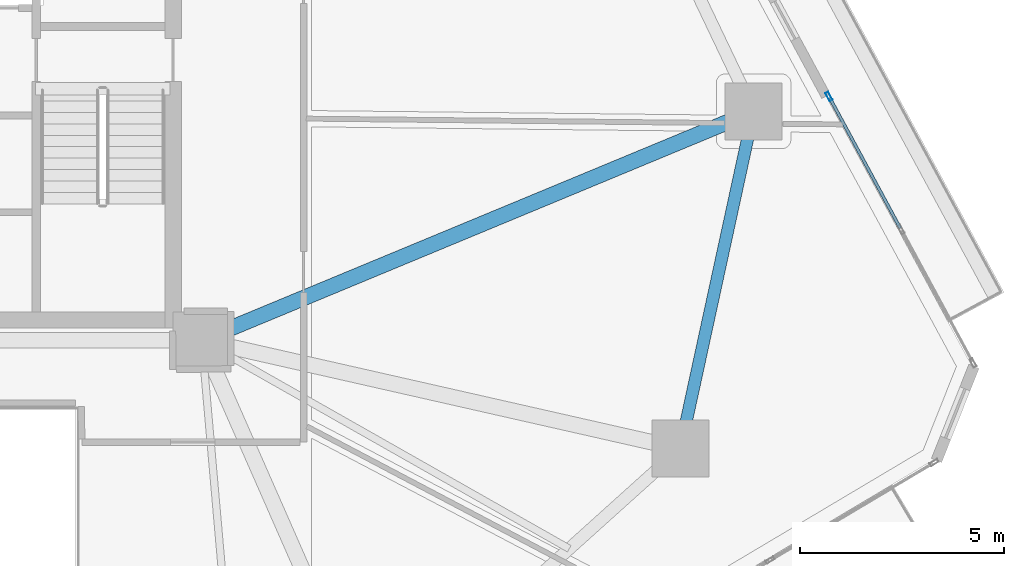
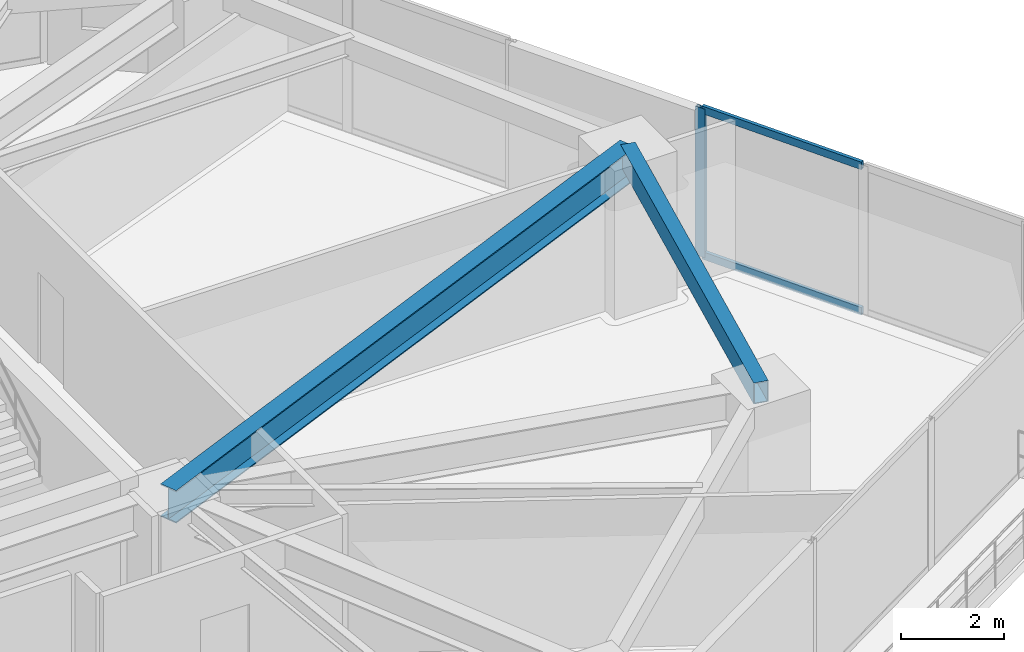
# One storey, part 11 of 23: 3 members, 2 beams, 1 element without a shape of its own.
"""IFC4 building model written with IfcOpenShell, lengths in metres."""

from ifc_helpers import new_model, si_unit, direction, frame, origin, origin_2d, place, context, subcontext, project, spatial, hollow_rectangle, i_section, extrude, source, transform, mapped, material, layer, layer_set, material_profile, profile_set, type_object, type_shapes, element, aggregate, save


model = new_model("IFC4")

# Units and contexts
model_context = context("Model", 3, precision=1e-05, world=origin(), true_north=direction((0.0, 1.0)))
body_context = subcontext(model_context, "Body", "Model", "MODEL_VIEW")
ifc_project = project(units=[si_unit("LENGTHUNIT", "METRE"), si_unit("AREAUNIT", "SQUARE_METRE"), si_unit("VOLUMEUNIT", "CUBIC_METRE"), si_unit("PLANEANGLEUNIT", "RADIAN"), si_unit("MASSUNIT", "GRAM", prefix="KILO")], contexts=[model_context])

# Site, building, storey
site_placement = place(None, origin())
site = spatial("IfcSite", under=ifc_project, at=site_placement, CompositionType="ELEMENT")
building_placement = place(site_placement, origin())
building = spatial("IfcBuilding", under=site, at=building_placement, Name="Talar Marvaseh", CompositionType="ELEMENT")
storey_placement = place(building_placement, frame((0.0, 0.0, 50.60009765625)))
storey = spatial("IfcBuildingStorey", under=building, at=storey_placement, Name="L12", CompositionType="ELEMENT", Elevation=50.60009765625)

# Beams
ifc_material_1 = material(Name="Steel S355", Category="steel")
ifc_material_profile_1 = material_profile(ifc_material_1, hollow_rectangle(XDim=0.300048828125, YDim=0.5, WallThickness=0.02001953125, at=origin_2d()), Name="RHS500x300x20")
ifc_profile_set_1 = profile_set([ifc_material_profile_1], Name="Steel S355")
beam_type_1 = type_object("IfcBeamType", Name="Zone 1 Perimeter Spandrel Beam RHS500x300x20", PredefinedType="SPANDREL", material=ifc_profile_set_1)
beam_1_placement = place(storey_placement, frame((46.841064453125, 31.118896484375, 3.27001953125), z_axis=(-0.212134113363, -0.977240562987, 0.0), x_axis=(0.977240562987, -0.212134113363, 0.0)))
element("IfcBeam", 1, at=beam_1_placement, inside=storey, type_object=beam_type_1, Name="L12 Zone 1 Perimeter Spandrel Beam RHS500x300x20", PredefinedType="SPANDREL", context=body_context, shape_type="SweptSolid", body=[
    extrude(hollow_rectangle(XDim=0.300048828125, YDim=0.5, WallThickness=0.02001953125, at=origin_2d()), origin(), (0.0, 0.0, 1.0), 8.4716796875),
])
ifc_material_profile_2 = material_profile(ifc_material_1, i_section(OverallWidth=0.381103515625, OverallDepth=0.77294921875, WebThickness=0.0166015625, FlangeThickness=0.027099609375, at=origin_2d()), Name="W760x257")
ifc_profile_set_2 = profile_set([ifc_material_profile_2], Name="Steel S355")
beam_type_2 = type_object("IfcBeamType", Name="Zone 1 Radial Floor Girder W760x257", PredefinedType="BEAM", material=ifc_profile_set_2)
beam_2_placement = place(storey_placement, frame((46.841064453125, 31.118896484375, 3.13330078125), z_axis=(-0.923637605375, -0.383266974753, 0.0), x_axis=(0.383266974753, -0.923637605375, 0.0)))
element("IfcBeam", 2, at=beam_2_placement, inside=storey, type_object=beam_type_2, Name="L12 Zone 1 Radial Floor Girder W760x257", PredefinedType="BEAM", context=body_context, shape_type="SweptSolid", body=[
    extrude(i_section(OverallWidth=0.381103515625, OverallDepth=0.77294921875, WebThickness=0.0166015625, FlangeThickness=0.027099609375, at=origin_2d()), origin(), (0.0, 0.0, 1.0), 14.66064453125),
])

# Curtain wall, members
ifc_material_2 = material(Name="Architectural Aluminium", Category="aluminium")
ifc_layer = layer(ifc_material_2, 0.219970703125)
ifc_layer_set = layer_set([ifc_layer], Name="Architectural Aluminium")
curtain_wall_type = type_object("IfcCurtainWallType", Name="Unitised Low-E Museum Curtain Wall Z1", PredefinedType="NOTDEFINED", material=ifc_layer_set)
curtain_wall_placement = place(storey_placement, origin())
curtain_wall = element("IfcCurtainWall", 3, at=curtain_wall_placement, inside=storey, type_object=curtain_wall_type, Name="L12 Unitised Low-E Museum Curtain Wall Z1", PredefinedType="NOTDEFINED")
ifc_material_profile_3 = material_profile(ifc_material_2, hollow_rectangle(XDim=0.080078125, YDim=0.219970703125, WallThickness=0.0048828125, at=origin_2d()), Name="RHS220x80x5")
ifc_profile_set_3 = profile_set([ifc_material_profile_3], Name="Architectural Aluminium")
member_type_1 = type_object("IfcMemberType", Name="Unitised Curtain Wall Heavy Mullion RHS220x80x5", PredefinedType="MULLION", material=ifc_profile_set_3)
shared_shape_1 = source(origin(), body_context, "Body", "SweptSolid", [
    extrude(hollow_rectangle(XDim=0.080078125, YDim=0.219970703125, WallThickness=0.0048828125, at=origin_2d()), origin(), (0.0, 0.0, 1.0), 3.52001953125),
])
type_shapes(member_type_1, [shared_shape_1])
member_1_placement = place(storey_placement, frame((48.690673828125, 31.48486328125, 0.0), z_axis=(0.0, 0.0, 1.0), x_axis=(0.879620132192, 0.475676805238, 0.0)))
member_1 = element("IfcMember", 4, at=member_1_placement, type_object=member_type_1, Name="CW-Z1 mullion 1", PredefinedType="MULLION", context=body_context, shape_type="MappedRepresentation", body=[
    mapped(shared_shape_1, transform((0.0, 0.0, 0.0), x_axis=(1.0, 0.0, 0.0), y_axis=(0.0, 1.0, 0.0), z_axis=(0.0, 0.0, 1.0), scale=1.0)),
])
ifc_material_profile_4 = material_profile(ifc_material_2, hollow_rectangle(XDim=0.074951171875, YDim=0.179931640625, WallThickness=0.0048828125, at=origin_2d()), Name="RHS180x75x5")
ifc_profile_set_4 = profile_set([ifc_material_profile_4], Name="Architectural Aluminium")
member_type_2 = type_object("IfcMemberType", Name="Unitised Curtain Wall Transom RHS180x75x5", PredefinedType="USERDEFINED", material=ifc_profile_set_4)
shared_shape_2 = source(origin(), body_context, "Body", "SweptSolid", [
    extrude(hollow_rectangle(XDim=0.074951171875, YDim=0.179931640625, WallThickness=0.0048828125, at=origin_2d()), origin(), (0.0, 0.0, 1.0), 3.636962890625),
])
type_shapes(member_type_2, [shared_shape_2])
member_2_placement = place(storey_placement, frame((48.709716796875, 31.44970703125, 0.037353515625), z_axis=(0.475660236883, -0.879629091747, 0.0), x_axis=(0.879629091747, 0.475660236883, 0.0)))
member_2 = element("IfcMember", 5, at=member_2_placement, type_object=member_type_2, Name="CW-Z1 transom 1.1", ObjectType="TRANSOM", PredefinedType="USERDEFINED", context=body_context, shape_type="MappedRepresentation", body=[
    mapped(shared_shape_2, transform((0.0, 0.0, 0.0), x_axis=(1.0, 0.0, 0.0), y_axis=(0.0, 1.0, 0.0), z_axis=(0.0, 0.0, 1.0), scale=1.0)),
])
member_3_placement = place(storey_placement, frame((48.709716796875, 31.44970703125, 3.482421875), z_axis=(0.475660236883, -0.879629091747, 0.0), x_axis=(0.879629091747, 0.475660236883, 0.0)))
member_3 = element("IfcMember", 6, at=member_3_placement, type_object=member_type_2, Name="CW-Z1 transom 1.2", ObjectType="TRANSOM", PredefinedType="USERDEFINED", context=body_context, shape_type="MappedRepresentation", body=[
    mapped(shared_shape_2, transform((0.0, 0.0, 0.0), x_axis=(1.0, 0.0, 0.0), y_axis=(0.0, 1.0, 0.0), z_axis=(0.0, 0.0, 1.0), scale=1.0)),
])
aggregate(curtain_wall, [member_1, member_2, member_3])

save(model, "model.ifc")
